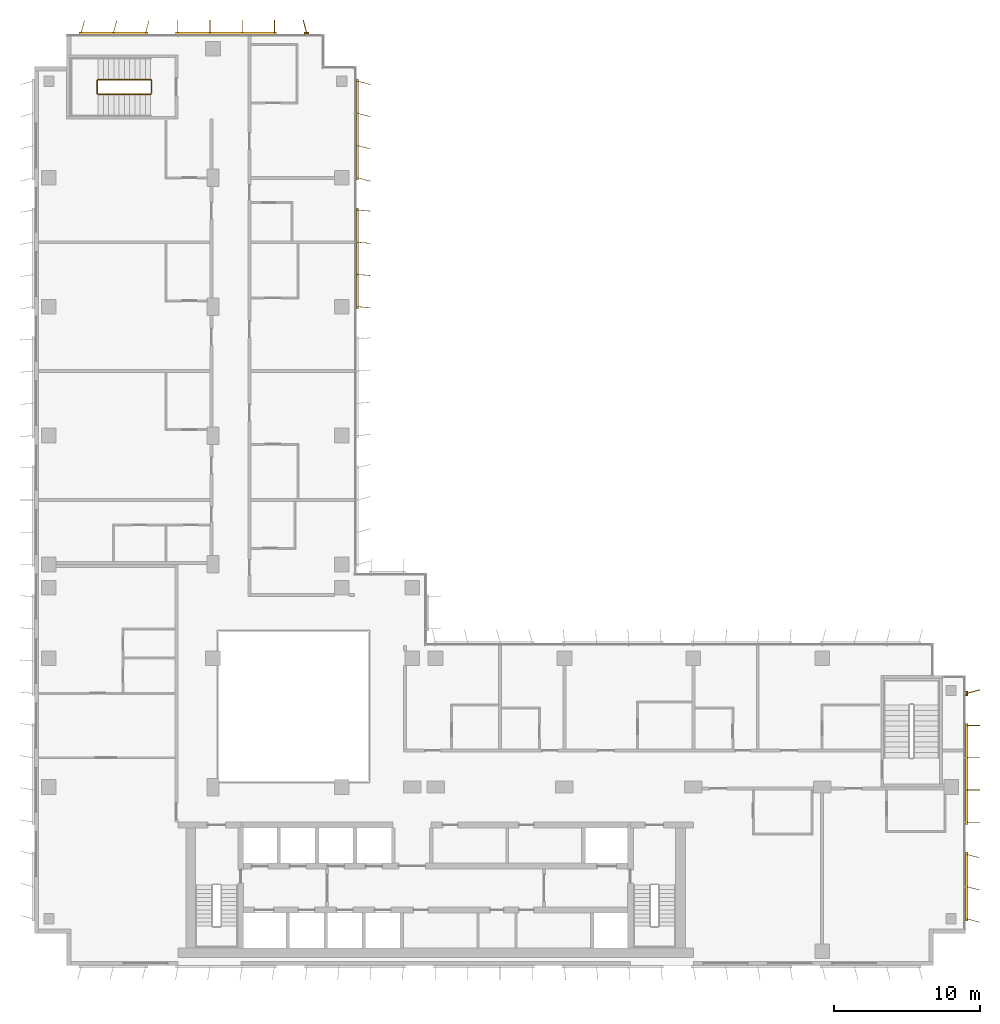
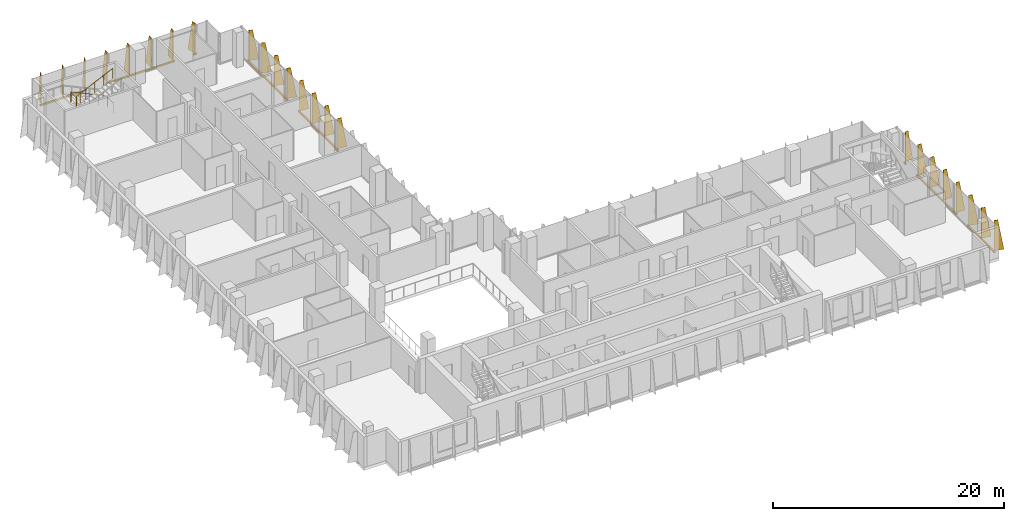
# One storey, part 20 of 20: 8 shading devices, 1 railing.
"""IFC4 building model written with IfcOpenShell, lengths in metres."""

from ifc_helpers import new_model, si_unit, direction, frame, origin, origin_2d, place, context, subcontext, project, spatial, polyline, rectangle, circle, outline, extrude, source, transform, mapped, material, layer, layer_set, type_object, element, save


model = new_model("IFC4")

# Units and contexts
model_context = context("Model", 3, precision=1e-05, world=origin(), true_north=direction((0.0, 1.0)))
body_context = subcontext(model_context, "Body", "Model", "MODEL_VIEW")
ifc_project = project(units=[si_unit("LENGTHUNIT", "METRE"), si_unit("AREAUNIT", "SQUARE_METRE"), si_unit("VOLUMEUNIT", "CUBIC_METRE"), si_unit("PLANEANGLEUNIT", "RADIAN"), si_unit("MASSUNIT", "GRAM", prefix="KILO")], contexts=[model_context])

# Site, building, storey
site_placement = place(None, origin())
site = spatial("IfcSite", under=ifc_project, at=site_placement, CompositionType="ELEMENT")
building_placement = place(site_placement, origin())
building = spatial("IfcBuilding", under=site, at=building_placement, Name="Kemantara Hotel Tower", CompositionType="ELEMENT")
storey_placement = place(building_placement, frame((0.0, 0.0, 190.10009765625)))
storey = spatial("IfcBuildingStorey", under=building, at=storey_placement, Name="L47", CompositionType="ELEMENT", Elevation=190.10009765625)

# Railing
ifc_material_1 = material(Name="Stainless steel balustrade", Category="steel")
railing_type = type_object("IfcRailingType", Name="Stair guard 1100 mm", PredefinedType="GUARDRAIL", material=ifc_material_1)
railing_placement = place(storey_placement, frame((7.949951171875, 59.5, 3.699951171875)))
element("IfcRailing", 1, at=railing_placement, inside=storey, type_object=railing_type, Name="L47 ST4 stair guard 1", PredefinedType="GUARDRAIL", context=body_context, shape_type="SweptSolid", body=[
    extrude(circle(Radius=0.02392578125, at=origin_2d()), frame((0.0, 0.0, 1.076171875), z_axis=(-0.905994681025, 0.0, -0.423289071386), x_axis=(0.0, -1.0, 0.0)), (0.0, 0.0, 1.0), 3.973388671875),
    extrude(circle(Radius=0.02392578125, at=origin_2d()), frame((-3.599853515625, 0.0, -0.60595703125), z_axis=(-0.274243871929, 0.274243871929, -0.92172696468), x_axis=(-0.707106781187, -0.707106781187, 0.0)), (0.0, 0.0, 1.0), 0.1826171875),
    extrude(circle(Radius=0.02392578125, at=origin_2d()), frame((-3.64990234375, 0.050048828125, -0.77392578125), z_axis=(0.0, 1.0, 0.0), x_axis=(-1.0, 0.0, 0.0)), (0.0, 0.0, 1.0), 0.89990234375),
    extrude(circle(Radius=0.02392578125, at=origin_2d()), frame((-3.64990234375, 0.949951171875, -0.77392578125), z_axis=(0.707106781187, 0.707106781187, 0.0), x_axis=(-0.707106781187, 0.707106781187, 0.0)), (0.0, 0.0, 1.0), 0.07080078125),
    extrude(circle(Radius=0.02392578125, at=origin_2d()), frame((-3.599853515625, 1.0, -0.77392578125), z_axis=(0.905994681025, 0.0, -0.423289071386), x_axis=(0.0, 1.0, 0.0)), (0.0, 0.0, 1.0), 3.973388671875),
    extrude(circle(Radius=0.02392578125, at=origin_2d()), frame((0.0, 1.0, -2.4560546875), z_axis=(0.274582412415, -0.274582412415, -0.921525364591), x_axis=(0.707106781187, 0.707106781187, 0.0)), (0.0, 0.0, 1.0), 0.182373046875),
    extrude(circle(Radius=0.02392578125, at=origin_2d()), frame((0.050048828125, 0.949951171875, -2.6240234375), z_axis=(0.0, -1.0, 0.0), x_axis=(1.0, 0.0, 0.0)), (0.0, 0.0, 1.0), 0.89990234375),
    extrude(circle(Radius=0.02099609375, at=origin_2d()), origin(), (0.0, 0.0, 1.0), 1.052001953125),
    extrude(circle(Radius=0.02099609375, at=origin_2d()), frame((-0.89990234375, 0.0, -0.42041015625)), (0.0, 0.0, 1.0), 1.052001953125),
    extrude(circle(Radius=0.02099609375, at=origin_2d()), frame((-1.7998046875, 0.0, -0.8408203125)), (0.0, 0.0, 1.0), 1.052001953125),
    extrude(circle(Radius=0.02099609375, at=origin_2d()), frame((-2.699951171875, 0.0, -1.261474609375)), (0.0, 0.0, 1.0), 1.052001953125),
    extrude(circle(Radius=0.02099609375, at=origin_2d()), frame((-3.599853515625, 0.0, -1.681884765625)), (0.0, 0.0, 1.0), 1.052001953125),
    extrude(circle(Radius=0.02099609375, at=origin_2d()), frame((-3.64990234375, 0.050048828125, -1.85009765625)), (0.0, 0.0, 1.0), 1.052001953125),
    extrude(circle(Radius=0.02099609375, at=origin_2d()), frame((-3.64990234375, 0.949951171875, -1.85009765625)), (0.0, 0.0, 1.0), 1.052001953125),
    extrude(circle(Radius=0.02099609375, at=origin_2d()), frame((-3.599853515625, 1.0, -1.85009765625)), (0.0, 0.0, 1.0), 1.052001953125),
    extrude(circle(Radius=0.02099609375, at=origin_2d()), frame((-2.699951171875, 1.0, -2.2705078125)), (0.0, 0.0, 1.0), 1.052001953125),
    extrude(circle(Radius=0.02099609375, at=origin_2d()), frame((-1.7998046875, 1.0, -2.69091796875)), (0.0, 0.0, 1.0), 1.052001953125),
    extrude(circle(Radius=0.02099609375, at=origin_2d()), frame((-0.89990234375, 1.0, -3.111572265625)), (0.0, 0.0, 1.0), 1.052001953125),
    extrude(circle(Radius=0.02099609375, at=origin_2d()), frame((0.0, 1.0, -3.531982421875)), (0.0, 0.0, 1.0), 1.052001953125),
    extrude(circle(Radius=0.02099609375, at=origin_2d()), frame((0.050048828125, 0.949951171875, -3.699951171875)), (0.0, 0.0, 1.0), 1.052001953125),
    extrude(circle(Radius=0.02099609375, at=origin_2d()), frame((0.050048828125, 0.050048828125, -3.699951171875)), (0.0, 0.0, 1.0), 1.052001953125),
])

# Shading devices
ifc_material_2 = material(Name="Perforated aluminium plate 4 mm bronze anodised", Category="aluminium")
ifc_layer_1 = layer(ifc_material_2, 0.0400390625)
ifc_layer_set_1 = layer_set([ifc_layer_1], Name="Perforated aluminium plate 4 mm bronze anodised")
shading_device_type_1 = type_object("IfcShadingDeviceType", Name="SCREEN FIN CASSETTE, 3 BLADES AT -15.0 DEG, 3200 HIGH", PredefinedType="USERDEFINED", material=ifc_layer_set_1)
shared_shape_1 = source(origin(), body_context, "Body", "SweptSolid", [
    extrude(rectangle(XDim=4.699951171875, YDim=0.14990234375, at=origin_2d()), frame((2.199951171875, -0.074951171875, -0.14990234375), z_axis=(0.0, 0.0, 1.0), x_axis=(1.0, 0.0, 0.0)), (0.0, 0.0, 1.0), 0.14990234375),
    extrude(outline(polyline([(0.0, 0.0), (0.89990234375, 0.0), (0.35009765625, 3.199951171875), (0.0, 3.199951171875), (0.0, 0.0)])), frame((0.019287109375, -0.080078125, 0.0), z_axis=(-0.966437683387, 0.256901156343, 0.0), x_axis=(-0.256901156343, -0.966437683387, 0.0)), (0.0, 0.0, 1.0), 0.039794921875),
    extrude(outline(polyline([(0.0, 0.0), (0.89990234375, 0.0), (0.35009765625, 3.199951171875), (0.0, 3.199951171875), (0.0, 0.0)])), frame((2.21923828125, -0.080078125, 0.0), z_axis=(-0.966437683387, 0.256901156343, 0.0), x_axis=(-0.256901156343, -0.966437683387, 0.0)), (0.0, 0.0, 1.0), 0.039794921875),
    extrude(outline(polyline([(0.0, 0.0), (0.89990234375, 0.0), (0.35009765625, 3.199951171875), (0.0, 3.199951171875), (0.0, 0.0)])), frame((4.41943359375, -0.080078125, 0.0), z_axis=(-0.966837822169, 0.255391122837, 0.0), x_axis=(-0.255391122837, -0.966837822169, 0.0)), (0.0, 0.0, 1.0), 0.0400390625),
])
for number, where, z_axis, x_axis, name in (
    (2, (7.60009765625, 63.60009765625, 0.099853515625), (0.0, 0.0, 1.0), (-1.0, 0.0, 0.0), "SCREEN FIN CASSETTE L47 T3-R02-3"),
    (3, (63.60009765625, 3.199951171875, 0.099853515625), (0.0, 0.0, 1.0), (0.0, 1.0, 0.0), "SCREEN FIN CASSETTE L47 T3-R11-1"),
):
    element("IfcShadingDevice", number, at=place(storey_placement, frame(where, z_axis=z_axis, x_axis=x_axis)), inside=storey, type_object=shading_device_type_1, Name=name, ObjectType="SCREEN FIN", PredefinedType="USERDEFINED", context=body_context, shape_type="MappedRepresentation", body=[
        mapped(shared_shape_1, transform((0.0, 0.0, 0.0))),
    ])
ifc_layer_2 = layer(ifc_material_2, 0.0400390625)
ifc_layer_set_2 = layer_set([ifc_layer_2], Name="Perforated aluminium plate 4 mm bronze anodised")
shading_device_type_2 = type_object("IfcShadingDeviceType", Name="SCREEN FIN CASSETTE, 4 BLADES AT -5.0 DEG, 3200 HIGH", PredefinedType="USERDEFINED", material=ifc_layer_set_2)
shared_shape_2 = source(origin(), body_context, "Body", "SweptSolid", [
    extrude(rectangle(XDim=6.89990234375, YDim=0.14990234375, at=origin_2d()), frame((3.300048828125, -0.074951171875, -0.14990234375), z_axis=(0.0, 0.0, 1.0), x_axis=(1.0, 0.0, 0.0)), (0.0, 0.0, 1.0), 0.14990234375),
    extrude(outline(polyline([(0.0, 0.0), (0.89990234375, 0.0), (0.35009765625, 3.199951171875), (0.0, 3.199951171875), (0.0, 0.0)])), frame((0.02001953125, -0.07666015625, 0.0), z_axis=(-0.996376129781, 0.085056498884, 0.0), x_axis=(-0.085056498884, -0.996376129781, 0.0)), (0.0, 0.0, 1.0), 0.040283203125),
    extrude(outline(polyline([(0.0, 0.0), (0.89990234375, 0.0), (0.35009765625, 3.199951171875), (0.0, 3.199951171875), (0.0, 0.0)])), frame((2.219970703125, -0.07666015625, 0.0), z_axis=(-0.996331773833, 0.085574508182, 0.0), x_axis=(-0.085574508182, -0.996331773833, 0.0)), (0.0, 0.0, 1.0), 0.0400390625),
    extrude(outline(polyline([(0.0, 0.0), (0.89990234375, 0.0), (0.35009765625, 3.199951171875), (0.0, 3.199951171875), (0.0, 0.0)])), frame((4.419921875, -0.07666015625, 0.0), z_axis=(-0.996331773833, 0.085574508182, 0.0), x_axis=(-0.085574508182, -0.996331773833, 0.0)), (0.0, 0.0, 1.0), 0.0400390625),
    extrude(outline(polyline([(0.0, 0.0), (0.89990234375, 0.0), (0.35009765625, 3.199951171875), (0.0, 3.199951171875), (0.0, 0.0)])), frame((6.619873046875, -0.07666015625, 0.0), z_axis=(-0.996331773833, 0.085574508182, 0.0), x_axis=(-0.085574508182, -0.996331773833, 0.0)), (0.0, 0.0, 1.0), 0.0400390625),
])
shading_device_1_placement = place(storey_placement, frame((22.0, 45.0, 0.099853515625), z_axis=(0.0, 0.0, 1.0), x_axis=(0.0, 1.0, 0.0)))
element("IfcShadingDevice", 4, at=shading_device_1_placement, inside=storey, type_object=shading_device_type_2, Name="SCREEN FIN CASSETTE L47 T3-R17-3", ObjectType="SCREEN FIN", PredefinedType="USERDEFINED", context=body_context, shape_type="MappedRepresentation", body=[
    mapped(shared_shape_2, transform((0.0, 0.0, 0.0))),
])
ifc_layer_3 = layer(ifc_material_2, 0.0400390625)
ifc_layer_set_3 = layer_set([ifc_layer_3], Name="Perforated aluminium plate 4 mm bronze anodised")
shading_device_type_3 = type_object("IfcShadingDeviceType", Name="SCREEN FIN CASSETTE, 4 BLADES AT +0.0 DEG, 3200 HIGH", PredefinedType="USERDEFINED", material=ifc_layer_set_3)
shared_shape_3 = source(origin(), body_context, "Body", "SweptSolid", [
    extrude(rectangle(XDim=6.89990234375, YDim=0.14990234375, at=origin_2d()), frame((3.300048828125, -0.074951171875, -0.14990234375), z_axis=(0.0, 0.0, 1.0), x_axis=(1.0, 0.0, 0.0)), (0.0, 0.0, 1.0), 0.14990234375),
    extrude(outline(polyline([(0.0, 0.0), (0.89990234375, 0.0), (0.35009765625, 3.199951171875), (0.0, 3.199951171875), (0.0, 0.0)])), frame((0.02001953125, -0.074951171875, 0.0), z_axis=(-1.0, 0.0, 0.0), x_axis=(0.0, -1.0, 0.0)), (0.0, 0.0, 1.0), 0.0400390625),
    extrude(outline(polyline([(0.0, 0.0), (0.89990234375, 0.0), (0.35009765625, 3.199951171875), (0.0, 3.199951171875), (0.0, 0.0)])), frame((2.219970703125, -0.074951171875, 0.0), z_axis=(-1.0, 0.0, 0.0), x_axis=(0.0, -1.0, 0.0)), (0.0, 0.0, 1.0), 0.0400390625),
    extrude(outline(polyline([(0.0, 0.0), (0.89990234375, 0.0), (0.35009765625, 3.199951171875), (0.0, 3.199951171875), (0.0, 0.0)])), frame((4.419921875, -0.074951171875, 0.0), z_axis=(-1.0, 0.0, 0.0), x_axis=(0.0, -1.0, 0.0)), (0.0, 0.0, 1.0), 0.0400390625),
    extrude(outline(polyline([(0.0, 0.0), (0.89990234375, 0.0), (0.35009765625, 3.199951171875), (0.0, 3.199951171875), (0.0, 0.0)])), frame((6.6201171875, -0.074951171875, 0.0), z_axis=(-1.0, 0.0, 0.0), x_axis=(0.0, -1.0, 0.0)), (0.0, 0.0, 1.0), 0.0400390625),
])
for number, where, z_axis, x_axis, name in (
    (5, (16.39990234375, 63.60009765625, 0.099853515625), (0.0, 0.0, 1.0), (-1.0, 0.0, 0.0), "SCREEN FIN CASSETTE L47 T3-R02-2"),
    (6, (63.60009765625, 9.800048828125, 0.099853515625), (0.0, 0.0, 1.0), (0.0, 1.0, 0.0), "SCREEN FIN CASSETTE L47 T3-R11-2"),
):
    element("IfcShadingDevice", number, at=place(storey_placement, frame(where, z_axis=z_axis, x_axis=x_axis)), inside=storey, type_object=shading_device_type_3, Name=name, ObjectType="SCREEN FIN", PredefinedType="USERDEFINED", context=body_context, shape_type="MappedRepresentation", body=[
        mapped(shared_shape_3, transform((0.0, 0.0, 0.0))),
    ])
ifc_layer_4 = layer(ifc_material_2, 0.0400390625)
ifc_layer_set_4 = layer_set([ifc_layer_4], Name="Perforated aluminium plate 4 mm bronze anodised")
shading_device_type_4 = type_object("IfcShadingDeviceType", Name="SCREEN FIN CASSETTE, 4 BLADES AT -15.0 DEG, 3200 HIGH", PredefinedType="USERDEFINED", material=ifc_layer_set_4)
shared_shape_4 = source(origin(), body_context, "Body", "SweptSolid", [
    extrude(rectangle(XDim=6.89990234375, YDim=0.14990234375, at=origin_2d()), frame((3.300048828125, -0.074951171875, -0.14990234375), z_axis=(0.0, 0.0, 1.0), x_axis=(1.0, 0.0, 0.0)), (0.0, 0.0, 1.0), 0.14990234375),
    extrude(outline(polyline([(0.0, 0.0), (0.89990234375, 0.0), (0.35009765625, 3.199951171875), (0.0, 3.199951171875), (0.0, 0.0)])), frame((0.019287109375, -0.080078125, 0.0), z_axis=(-0.966437683387, 0.256901156343, 0.0), x_axis=(-0.256901156343, -0.966437683387, 0.0)), (0.0, 0.0, 1.0), 0.039794921875),
    extrude(outline(polyline([(0.0, 0.0), (0.89990234375, 0.0), (0.35009765625, 3.199951171875), (0.0, 3.199951171875), (0.0, 0.0)])), frame((2.21923828125, -0.080078125, 0.0), z_axis=(-0.966437683387, 0.256901156343, 0.0), x_axis=(-0.256901156343, -0.966437683387, 0.0)), (0.0, 0.0, 1.0), 0.039794921875),
    extrude(outline(polyline([(0.0, 0.0), (0.89990234375, 0.0), (0.35009765625, 3.199951171875), (0.0, 3.199951171875), (0.0, 0.0)])), frame((4.41943359375, -0.080078125, 0.0), z_axis=(-0.966837822169, 0.255391122837, 0.0), x_axis=(-0.255391122837, -0.966837822169, 0.0)), (0.0, 0.0, 1.0), 0.0400390625),
    extrude(outline(polyline([(0.0, 0.0), (0.89990234375, 0.0), (0.35009765625, 3.199951171875), (0.0, 3.199951171875), (0.0, 0.0)])), frame((6.619384765625, -0.080078125, 0.0), z_axis=(-0.966837822169, 0.255391122837, 0.0), x_axis=(-0.255391122837, -0.966837822169, 0.0)), (0.0, 0.0, 1.0), 0.0400390625),
])
shading_device_2_placement = place(storey_placement, frame((22.0, 53.800048828125, 0.099853515625), z_axis=(0.0, 0.0, 1.0), x_axis=(0.0, 1.0, 0.0)))
element("IfcShadingDevice", 7, at=shading_device_2_placement, inside=storey, type_object=shading_device_type_4, Name="SCREEN FIN CASSETTE L47 T3-R17-4", ObjectType="SCREEN FIN", PredefinedType="USERDEFINED", context=body_context, shape_type="MappedRepresentation", body=[
    mapped(shared_shape_4, transform((0.0, 0.0, 0.0))),
])
ifc_layer_5 = layer(ifc_material_2, 0.0400390625)
ifc_layer_set_5 = layer_set([ifc_layer_5], Name="Perforated aluminium plate 4 mm bronze anodised")
shading_device_type_5 = type_object("IfcShadingDeviceType", Name="SCREEN FIN CASSETTE, 1 BLADE AT +15.0 DEG, 3200 HIGH", PredefinedType="USERDEFINED", material=ifc_layer_set_5)
shared_shape_5 = source(origin(), body_context, "Body", "SweptSolid", [
    extrude(rectangle(XDim=0.300048828125, YDim=0.14990234375, at=origin_2d()), frame((0.0, -0.074951171875, -0.14990234375), z_axis=(0.0, 0.0, 1.0), x_axis=(1.0, 0.0, 0.0)), (0.0, 0.0, 1.0), 0.14990234375),
    extrude(outline(polyline([(0.0, 0.0), (0.89990234375, 0.0), (0.35009765625, 3.199951171875), (0.0, 3.199951171875), (0.0, 0.0)])), frame((0.019287109375, -0.06982421875, 0.0), z_axis=(-0.966437683387, -0.256901156343, 0.0), x_axis=(0.256901156343, -0.966437683387, 0.0)), (0.0, 0.0, 1.0), 0.039794921875),
])
for number, where, z_axis, x_axis, name in (
    (8, (18.60009765625, 63.60009765625, 0.099853515625), (0.0, 0.0, 1.0), (-1.0, 0.0, 0.0), "SCREEN FIN CASSETTE L47 T3-R02-1"),
    (9, (63.60009765625, 18.60009765625, 0.099853515625), (0.0, 0.0, 1.0), (0.0, 1.0, 0.0), "SCREEN FIN CASSETTE L47 T3-R11-3"),
):
    element("IfcShadingDevice", number, at=place(storey_placement, frame(where, z_axis=z_axis, x_axis=x_axis)), inside=storey, type_object=shading_device_type_5, Name=name, ObjectType="SCREEN FIN", PredefinedType="USERDEFINED", context=body_context, shape_type="MappedRepresentation", body=[
        mapped(shared_shape_5, transform((0.0, 0.0, 0.0))),
    ])

save(model, "model.ifc")
